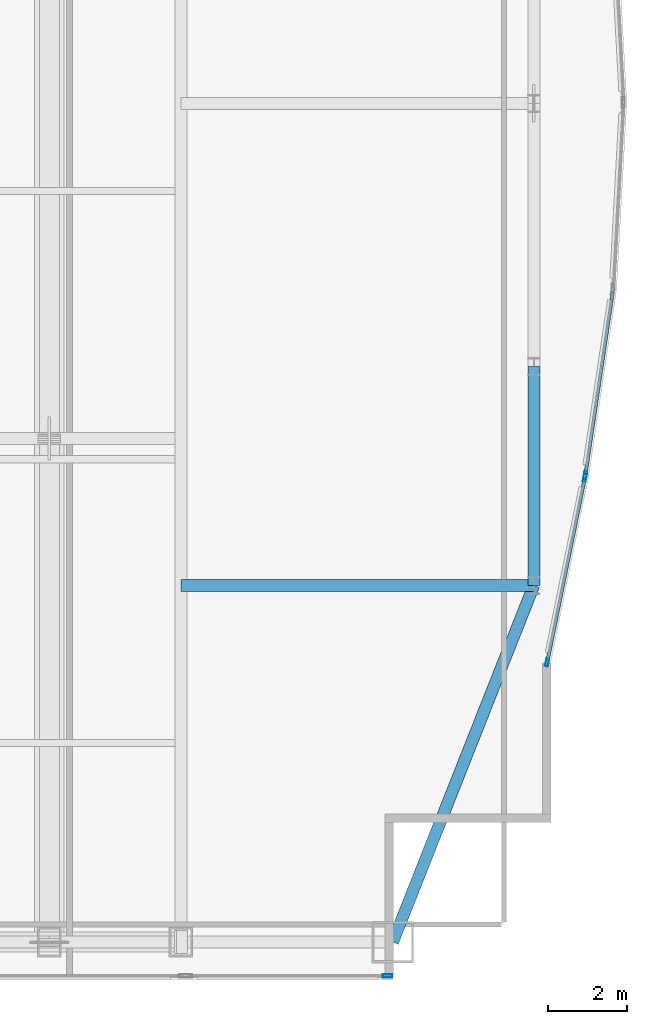
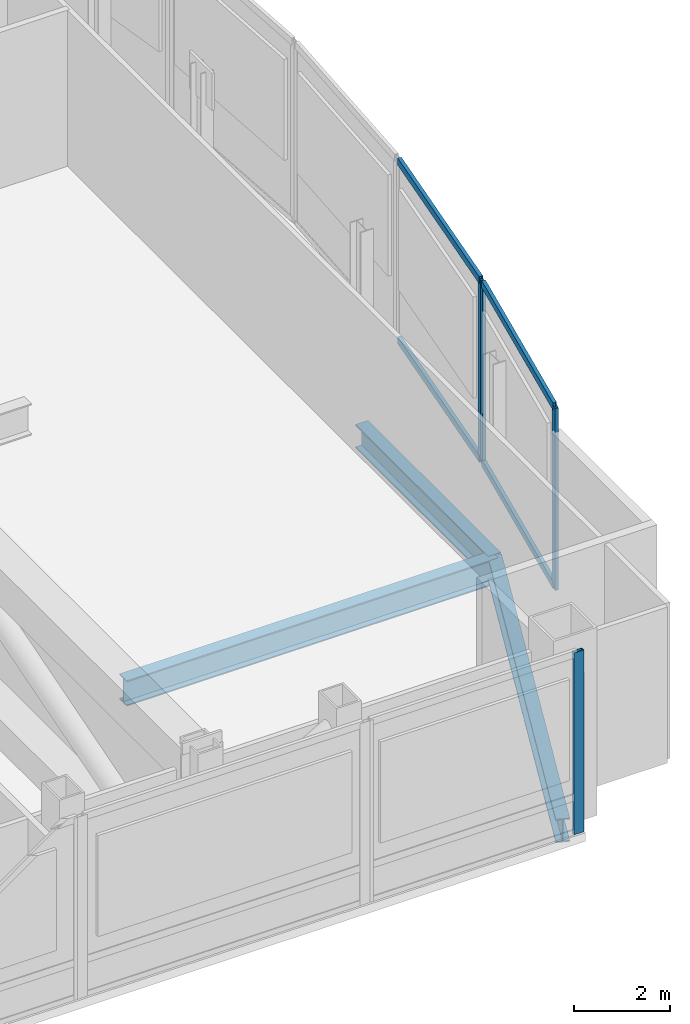
# One storey, part 18 of 32: 8 members, 3 beams, 3 elements without a shape of their own.
"""IFC4 building model written with IfcOpenShell, lengths in metres."""

from ifc_helpers import new_model, si_unit, direction, frame, origin, origin_2d, place, context, subcontext, project, spatial, hollow_rectangle, i_section, extrude, material, material_profile, profile_set, type_object, element, aggregate, save


model = new_model("IFC4")

# Units and contexts
model_context = context("Model", 3, precision=1e-05, world=origin(), true_north=direction((0.0, 1.0)))
body_context = subcontext(model_context, "Body", "Model", "MODEL_VIEW")
ifc_project = project(units=[si_unit("LENGTHUNIT", "METRE"), si_unit("AREAUNIT", "SQUARE_METRE"), si_unit("VOLUMEUNIT", "CUBIC_METRE"), si_unit("PLANEANGLEUNIT", "RADIAN"), si_unit("MASSUNIT", "GRAM", prefix="KILO")], contexts=[model_context])

# Site, building, storey
site_placement = place(None, origin())
site = spatial("IfcSite", under=ifc_project, at=site_placement, CompositionType="ELEMENT")
building_placement = place(site_placement, origin())
building = spatial("IfcBuilding", under=site, at=building_placement, Name="Khoronbel Lancet Exchange", CompositionType="ELEMENT")
storey_placement = place(building_placement, frame((0.0, 0.0, 257.0)))
storey = spatial("IfcBuildingStorey", under=building, at=storey_placement, Name="L66", CompositionType="ELEMENT", Elevation=257.0)

# Beams
ifc_material_1 = material(Name="Steel S355", Category="steel")
ifc_material_profile_1 = material_profile(ifc_material_1, i_section(OverallWidth=0.300048828125, OverallDepth=0.64990234375, WebThickness=0.01611328125, FlangeThickness=0.031005859375, at=origin_2d()), Name="HEB 650")
ifc_profile_set_1 = profile_set([ifc_material_profile_1], Name="Steel S355")
beam_type_1 = type_object("IfcBeamType", Name="BM-BG4", PredefinedType="BEAM", material=ifc_profile_set_1)
beam_1_placement = place(storey_placement, frame((54.675048828125, 19.199951171875, -0.544921875), z_axis=(1.0, 0.0, 0.0), x_axis=(0.0, 1.0, 0.0)))
element("IfcBeam", 1, at=beam_1_placement, inside=storey, type_object=beam_type_1, Name="Level L66 east lens tie girder LG1E", PredefinedType="BEAM", context=body_context, shape_type="SweptSolid", body=[
    extrude(i_section(OverallWidth=0.300048828125, OverallDepth=0.64990234375, WebThickness=0.01611328125, FlangeThickness=0.031005859375, at=origin_2d()), origin(), (0.0, 0.0, 1.0), 8.954833984375),
])
ifc_material_profile_2 = material_profile(ifc_material_1, i_section(OverallWidth=0.300048828125, OverallDepth=0.60009765625, WebThickness=0.015380859375, FlangeThickness=0.030029296875, at=origin_2d()), Name="HEB 600")
ifc_profile_set_2 = profile_set([ifc_material_profile_2], Name="Steel S355")
beam_type_2 = type_object("IfcBeamType", Name="BM-BSP2", PredefinedType="SPANDREL", material=ifc_profile_set_2)
beam_2_placement = place(storey_placement, frame((60.050048828125, 10.14990234375, -0.52001953125), z_axis=(0.367828403855, 0.929893684954, 0.0), x_axis=(-0.929893684954, 0.367828403855, 0.0)))
element("IfcBeam", 2, at=beam_2_placement, inside=storey, type_object=beam_type_2, Name="Level L66 perimeter spandrel beam SP10", PredefinedType="SPANDREL", context=body_context, shape_type="SweptSolid", body=[
    extrude(i_section(OverallWidth=0.300048828125, OverallDepth=0.60009765625, WebThickness=0.015380859375, FlangeThickness=0.030029296875, at=origin_2d()), origin(), (0.0, 0.0, 1.0), 9.732421875),
])
beam_3_placement = place(storey_placement, frame((63.6298828125, 19.199951171875, -0.52001953125), z_axis=(0.0, 1.0, 0.0), x_axis=(-1.0, 0.0, 0.0)))
element("IfcBeam", 3, at=beam_3_placement, inside=storey, type_object=beam_type_2, Name="Level L66 perimeter spandrel beam SP11", PredefinedType="SPANDREL", context=body_context, shape_type="SweptSolid", body=[
    extrude(i_section(OverallWidth=0.300048828125, OverallDepth=0.60009765625, WebThickness=0.015380859375, FlangeThickness=0.030029296875, at=origin_2d()), origin(), (0.0, 0.0, 1.0), 5.550048828125),
])

# Curtain wall, member
ifc_material_2 = material(Name="Low-E Solar Control Insulating Glass", Category="glass")
curtain_wall_type_1 = type_object("IfcCurtainWallType", Name="CW-3", PredefinedType="NOTDEFINED", material=ifc_material_2)
curtain_wall_1_placement = place(storey_placement, origin())
curtain_wall_1 = element("IfcCurtainWall", 4, at=curtain_wall_1_placement, inside=storey, type_object=curtain_wall_type_1, Name="Unitised curtain wall CW-L66-SEV", PredefinedType="NOTDEFINED")
ifc_material_3 = material(Name="Bronze-Anodised Aluminium 6063-T6", Category="aluminium")
ifc_material_profile_3 = material_profile(ifc_material_3, hollow_rectangle(XDim=0.0849609375, YDim=0.239990234375, WallThickness=0.006103515625, at=origin_2d()), Name="ALU MULLION 85x240")
ifc_profile_set_3 = profile_set([ifc_material_profile_3], Name="Bronze-Anodised Aluminium 6063-T6")
member_type_1 = type_object("IfcMemberType", Name="MEM-CWM1", PredefinedType="MULLION", material=ifc_profile_set_3)
member_1_placement = place(storey_placement, frame((59.91748046875, 9.2900390625, 0.0), z_axis=(0.0, 0.0, 1.0), x_axis=(0.0, 1.0, 0.0)))
member_1 = element("IfcMember", 5, at=member_1_placement, type_object=member_type_1, Name="CW3 mullion 2", PredefinedType="MULLION", context=body_context, shape_type="SweptSolid", body=[
    extrude(hollow_rectangle(XDim=0.0849609375, YDim=0.239990234375, WallThickness=0.006103515625, at=origin_2d()), origin(), (0.0, 0.0, 1.0), 4.639892578125),
])
aggregate(curtain_wall_1, [member_1])

curtain_wall_type_2 = type_object("IfcCurtainWallType", Name="CW-4", PredefinedType="NOTDEFINED", material=ifc_material_2)
curtain_wall_2_placement = place(storey_placement, origin())
curtain_wall_2 = element("IfcCurtainWall", 6, at=curtain_wall_2_placement, inside=storey, type_object=curtain_wall_type_2, Name="Unitised curtain wall CW-L66-E21", PredefinedType="NOTDEFINED")
ifc_material_profile_4 = material_profile(ifc_material_3, hollow_rectangle(XDim=0.074951171875, YDim=0.199951171875, WallThickness=0.0048828125, at=origin_2d()), Name="ALU MULLION 75x200")
ifc_profile_set_4 = profile_set([ifc_material_profile_4], Name="Bronze-Anodised Aluminium 6063-T6")
member_type_2 = type_object("IfcMemberType", Name="MEM-CWM2", PredefinedType="MULLION", material=ifc_profile_set_4)
member_2_placement = place(storey_placement, frame((64.936767578125, 22.002685546875, 0.0), z_axis=(0.0, 0.0, 1.0), x_axis=(0.98900689676, -0.147869395619, 0.0)))
member_2 = element("IfcMember", 7, at=member_2_placement, type_object=member_type_2, Name="CW4 mullion 2", PredefinedType="MULLION", context=body_context, shape_type="SweptSolid", body=[
    extrude(hollow_rectangle(XDim=0.074951171875, YDim=0.199951171875, WallThickness=0.0048828125, at=origin_2d()), origin(), (0.0, 0.0, 1.0), 4.639892578125),
])

# Curtain wall, members
curtain_wall_3_placement = place(storey_placement, origin())
curtain_wall_3 = element("IfcCurtainWall", 8, at=curtain_wall_3_placement, inside=storey, type_object=curtain_wall_type_2, Name="Unitised curtain wall CW-L66-E22", PredefinedType="NOTDEFINED")
member_3_placement = place(storey_placement, frame((64.923583984375, 21.928955078125, 0.0), z_axis=(0.0, 0.0, 1.0), x_axis=(0.979785276195, -0.200052024611, 0.0)))
member_3 = element("IfcMember", 9, at=member_3_placement, type_object=member_type_2, Name="CW4 mullion 1", PredefinedType="MULLION", context=body_context, shape_type="SweptSolid", body=[
    extrude(hollow_rectangle(XDim=0.074951171875, YDim=0.199951171875, WallThickness=0.0048828125, at=origin_2d()), origin(), (0.0, 0.0, 1.0), 4.639892578125),
])
member_4_placement = place(storey_placement, frame((63.967529296875, 17.245849609375, 0.0), z_axis=(0.0, 0.0, 1.0), x_axis=(0.979785276195, -0.200052024611, 0.0)))
member_4 = element("IfcMember", 10, at=member_4_placement, type_object=member_type_2, Name="CW4 mullion 2", PredefinedType="MULLION", context=body_context, shape_type="SweptSolid", body=[
    extrude(hollow_rectangle(XDim=0.074951171875, YDim=0.199951171875, WallThickness=0.0048828125, at=origin_2d()), origin(), (0.0, 0.0, 1.0), 4.639892578125),
])

# Member
ifc_material_profile_5 = material_profile(ifc_material_3, hollow_rectangle(XDim=0.0849609375, YDim=0.179931640625, WallThickness=0.0048828125, at=origin_2d()), Name="ALU TRANSOM 85x180")
ifc_profile_set_5 = profile_set([ifc_material_profile_5], Name="Bronze-Anodised Aluminium 6063-T6")
member_type_3 = type_object("IfcMemberType", Name="MEM-CWT1", PredefinedType="USERDEFINED", material=ifc_profile_set_5)
member_5_placement = place(storey_placement, frame((65.62939453125, 26.635009765625, 0.04248046875), z_axis=(-0.147862517337, -0.989007925128, 0.0), x_axis=(0.989007925128, -0.147862517337, 0.0)))
member_5 = element("IfcMember", 11, at=member_5_placement, type_object=member_type_3, Name="CW4 transom 1.1", ObjectType="TRANSOM", PredefinedType="USERDEFINED", context=body_context, shape_type="SweptSolid", body=[
    extrude(hollow_rectangle(XDim=0.0849609375, YDim=0.179931640625, WallThickness=0.0048828125, at=origin_2d()), origin(), (0.0, 0.0, 1.0), 4.646240234375),
])

member_6_placement = place(storey_placement, frame((65.62939453125, 26.635009765625, 4.597412109375), z_axis=(-0.147862517337, -0.989007925128, 0.0), x_axis=(0.989007925128, -0.147862517337, 0.0)))
member_6 = element("IfcMember", 12, at=member_6_placement, type_object=member_type_3, Name="CW4 transom 1.2", ObjectType="TRANSOM", PredefinedType="USERDEFINED", context=body_context, shape_type="SweptSolid", body=[
    extrude(hollow_rectangle(XDim=0.0849609375, YDim=0.179931640625, WallThickness=0.0048828125, at=origin_2d()), origin(), (0.0, 0.0, 1.0), 4.646240234375),
])

aggregate(curtain_wall_2, [member_2, member_5, member_6])

member_7_placement = place(storey_placement, frame((64.916259765625, 21.892333984375, 0.04248046875), z_axis=(-0.200036259309, -0.979788495014, 0.0), x_axis=(0.979788495014, -0.200036259309, 0.0)))
member_7 = element("IfcMember", 13, at=member_7_placement, type_object=member_type_3, Name="CW4 transom 1.1", ObjectType="TRANSOM", PredefinedType="USERDEFINED", context=body_context, shape_type="SweptSolid", body=[
    extrude(hollow_rectangle(XDim=0.0849609375, YDim=0.179931640625, WallThickness=0.0048828125, at=origin_2d()), origin(), (0.0, 0.0, 1.0), 4.705078125),
])

member_8_placement = place(storey_placement, frame((64.916259765625, 21.892333984375, 4.597412109375), z_axis=(-0.200036259309, -0.979788495014, 0.0), x_axis=(0.979788495014, -0.200036259309, 0.0)))
member_8 = element("IfcMember", 14, at=member_8_placement, type_object=member_type_3, Name="CW4 transom 1.2", ObjectType="TRANSOM", PredefinedType="USERDEFINED", context=body_context, shape_type="SweptSolid", body=[
    extrude(hollow_rectangle(XDim=0.0849609375, YDim=0.179931640625, WallThickness=0.0048828125, at=origin_2d()), origin(), (0.0, 0.0, 1.0), 4.705078125),
])

aggregate(curtain_wall_3, [member_3, member_4, member_7, member_8])

save(model, "model.ifc")
